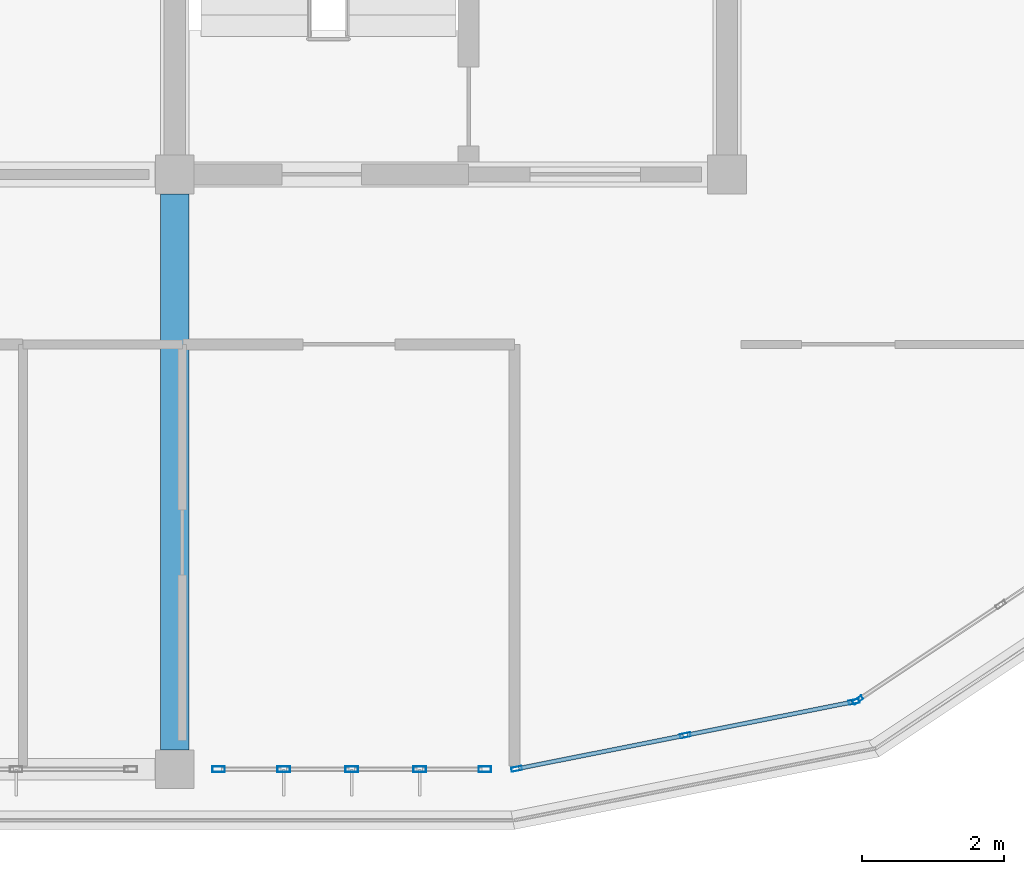
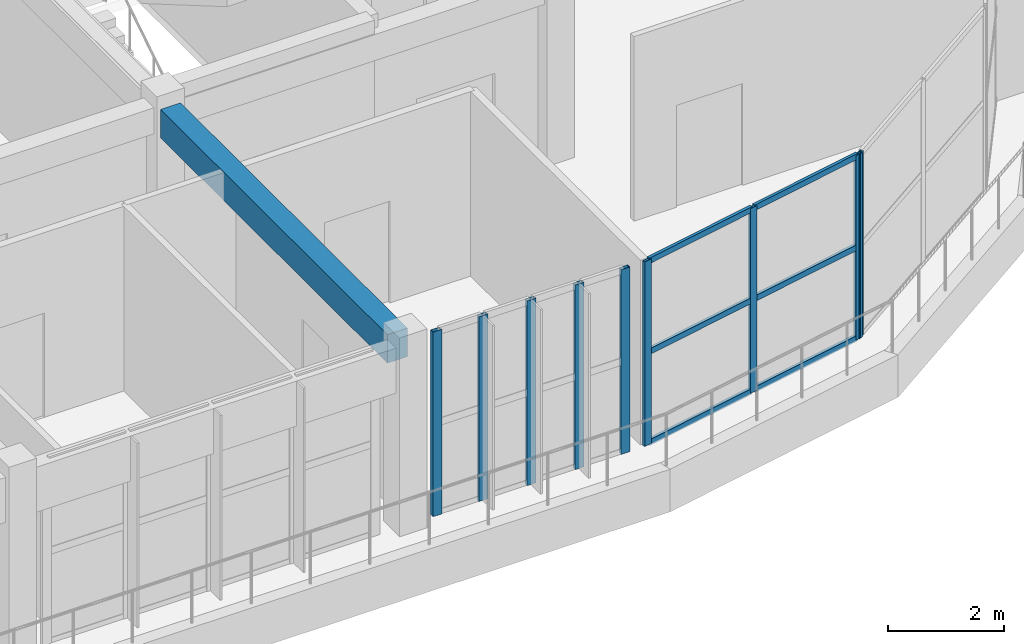
# One storey, part 19 of 44: 15 members, 1 beam, 3 elements without a shape of their own.
"""IFC4 building model written with IfcOpenShell, lengths in metres."""

from ifc_helpers import new_model, si_unit, direction, frame, origin, origin_2d, place, context, subcontext, project, spatial, rectangle, hollow_rectangle, extrude, material, layer, layer_set, material_profile, profile_set, type_object, element, aggregate, save


model = new_model("IFC4")

# Units and contexts
model_context = context("Model", 3, precision=1e-05, world=origin(), true_north=direction((0.0, 1.0)))
body_context = subcontext(model_context, "Body", "Model", "MODEL_VIEW")
ifc_project = project(units=[si_unit("LENGTHUNIT", "METRE"), si_unit("AREAUNIT", "SQUARE_METRE"), si_unit("VOLUMEUNIT", "CUBIC_METRE"), si_unit("PLANEANGLEUNIT", "RADIAN"), si_unit("MASSUNIT", "GRAM", prefix="KILO")], contexts=[model_context])

# Site, building, storey
site_placement = place(None, origin())
site = spatial("IfcSite", under=ifc_project, at=site_placement, CompositionType="ELEMENT")
building_placement = place(site_placement, origin())
building = spatial("IfcBuilding", under=site, at=building_placement, Name="Zizhar Promenade General Hospital", CompositionType="ELEMENT")
storey_placement = place(building_placement, frame((0.0, 0.0, 34.800048828125)))
storey = spatial("IfcBuildingStorey", under=building, at=storey_placement, Name="L08", CompositionType="ELEMENT", Elevation=34.800048828125)

# Beam
ifc_material_1 = material(Name="Concrete C35/45", Category="concrete")
ifc_material_profile_1 = material_profile(ifc_material_1, rectangle(XDim=0.39990234375, YDim=0.60009765625, at=origin_2d()))
ifc_profile_set_1 = profile_set([ifc_material_profile_1], Name="Concrete C35/45")
beam_type = type_object("IfcBeamType", Name="BM-RC-400x600", PredefinedType="JOIST", material=ifc_profile_set_1)
beam_placement = place(storey_placement, frame((93.60009765625, 0.27490234375, 3.60986328125), z_axis=(0.0, 1.0, 0.0), x_axis=(-1.0, 0.0, 0.0)))
element("IfcBeam", 1, at=beam_placement, inside=storey, type_object=beam_type, Name="Grid Beam Y L08 (12-0)", PredefinedType="JOIST", context=body_context, shape_type="SweptSolid", body=[
    extrude(rectangle(XDim=0.39990234375, YDim=0.60009765625, at=origin_2d()), origin(), (0.0, 0.0, 1.0), 7.85009765625),
])

# Curtain wall, members
ifc_material_2 = material(Name="Anodised aluminium 6063-T6 and low-E glass", Category="aluminium")
ifc_layer_1 = layer(ifc_material_2, 0.159912109375)
ifc_layer_set_1 = layer_set([ifc_layer_1], Name="Anodised aluminium 6063-T6 and low-E glass")
curtain_wall_type_1 = type_object("IfcCurtainWallType", Name="CW-WARD-ARC", PredefinedType="NOTDEFINED", material=ifc_layer_set_1)
curtain_wall_1_placement = place(storey_placement, origin())
curtain_wall_1 = element("IfcCurtainWall", 2, at=curtain_wall_1_placement, inside=storey, type_object=curtain_wall_type_1, Name="Ward Semicircular End Glazing L08-01", PredefinedType="NOTDEFINED")
ifc_material_3 = material(Name="Anodised aluminium 6063-T6", Category="aluminium")
ifc_material_profile_2 = material_profile(ifc_material_3, hollow_rectangle(XDim=0.06005859375, YDim=0.14990234375, WallThickness=0.00390625, at=origin_2d()))
ifc_profile_set_2 = profile_set([ifc_material_profile_2], Name="Anodised aluminium 6063-T6")
member_type_1 = type_object("IfcMemberType", Name="CWM-ALU-150x60", PredefinedType="MULLION", material=ifc_profile_set_2)
member_1_placement = place(storey_placement, frame((103.1923828125, 0.953369140625, 0.0), z_axis=(0.0, 0.0, 1.0), x_axis=(0.195087259275, -0.980785889615, 0.0)))
member_1 = element("IfcMember", 3, at=member_1_placement, type_object=member_type_1, Name="CW-12 mullion 1", PredefinedType="MULLION", context=body_context, shape_type="SweptSolid", body=[
    extrude(hollow_rectangle(XDim=0.06005859375, YDim=0.14990234375, WallThickness=0.00390625, at=origin_2d()), origin(), (0.0, 0.0, 1.0), 3.89990234375),
])
member_2_placement = place(storey_placement, frame((100.810791015625, 0.4794921875, 0.0), z_axis=(0.0, 0.0, 1.0), x_axis=(0.195087259275, -0.980785889615, 0.0)))
member_2 = element("IfcMember", 4, at=member_2_placement, type_object=member_type_1, Name="CW-12 mullion 2", PredefinedType="MULLION", context=body_context, shape_type="SweptSolid", body=[
    extrude(hollow_rectangle(XDim=0.06005859375, YDim=0.14990234375, WallThickness=0.00390625, at=origin_2d()), origin(), (0.0, 0.0, 1.0), 3.89990234375),
])
member_3_placement = place(storey_placement, frame((98.429443359375, 0.005859375, 0.0), z_axis=(0.0, 0.0, 1.0), x_axis=(0.195087259275, -0.980785889615, 0.0)))
member_3 = element("IfcMember", 5, at=member_3_placement, type_object=member_type_1, Name="CW-12 mullion 3", PredefinedType="MULLION", context=body_context, shape_type="SweptSolid", body=[
    extrude(hollow_rectangle(XDim=0.06005859375, YDim=0.14990234375, WallThickness=0.00390625, at=origin_2d()), origin(), (0.0, 0.0, 1.0), 3.89990234375),
])

# Curtain wall, member
curtain_wall_2_placement = place(storey_placement, origin())
curtain_wall_2 = element("IfcCurtainWall", 6, at=curtain_wall_2_placement, inside=storey, type_object=curtain_wall_type_1, Name="Ward Semicircular End Glazing L08-02", PredefinedType="NOTDEFINED")
member_4_placement = place(storey_placement, frame((103.246826171875, 0.975830078125, 0.0), z_axis=(0.0, 0.0, 1.0), x_axis=(0.555582352095, -0.831461514468, 0.0)))
member_4 = element("IfcMember", 7, at=member_4_placement, type_object=member_type_1, Name="CW-12 mullion 3", PredefinedType="MULLION", context=body_context, shape_type="SweptSolid", body=[
    extrude(hollow_rectangle(XDim=0.06005859375, YDim=0.14990234375, WallThickness=0.00390625, at=origin_2d()), origin(), (0.0, 0.0, 1.0), 3.89990234375),
])
aggregate(curtain_wall_2, [member_4])

# Curtain wall, members
ifc_material_4 = material(Name="Anodised aluminium 6063-T6 and low-E glass", Category="aluminium")
ifc_layer_2 = layer(ifc_material_4, 0.159912109375)
ifc_layer_set_2 = layer_set([ifc_layer_2], Name="Anodised aluminium 6063-T6 and low-E glass")
curtain_wall_type_2 = type_object("IfcCurtainWallType", Name="CW-WARD-RIB", PredefinedType="NOTDEFINED", material=ifc_layer_set_2)
curtain_wall_3_placement = place(storey_placement, origin())
curtain_wall_3 = element("IfcCurtainWall", 8, at=curtain_wall_3_placement, inside=storey, type_object=curtain_wall_type_2, Name="Ward Ribbon Curtain Wall L08-17-0", PredefinedType="NOTDEFINED")
ifc_material_5 = material(Name="Anodised aluminium 6063-T6", Category="aluminium")
ifc_material_profile_3 = material_profile(ifc_material_5, hollow_rectangle(XDim=0.080078125, YDim=0.179931640625, WallThickness=0.0048828125, at=origin_2d()))
ifc_profile_set_3 = profile_set([ifc_material_profile_3], Name="Anodised aluminium 6063-T6")
member_type_2 = type_object("IfcMemberType", Name="CWM-ALU-180x80", PredefinedType="MULLION", material=ifc_profile_set_3)
member_5_placement = place(storey_placement, frame((97.97998046875, 0.0, 0.0), z_axis=(0.0, 0.0, 1.0), x_axis=(0.0, -1.0, 0.0)))
member_5 = element("IfcMember", 9, at=member_5_placement, type_object=member_type_2, Name="CW-13 mullion 1", PredefinedType="MULLION", context=body_context, shape_type="SweptSolid", body=[
    extrude(hollow_rectangle(XDim=0.080078125, YDim=0.179931640625, WallThickness=0.0048828125, at=origin_2d()), origin(), (0.0, 0.0, 1.0), 3.89990234375),
])
member_6_placement = place(storey_placement, frame((97.06005859375, 0.0, 0.0), z_axis=(0.0, 0.0, 1.0), x_axis=(0.0, -1.0, 0.0)))
member_6 = element("IfcMember", 10, at=member_6_placement, type_object=member_type_2, Name="CW-13 mullion 2", PredefinedType="MULLION", context=body_context, shape_type="SweptSolid", body=[
    extrude(hollow_rectangle(XDim=0.080078125, YDim=0.179931640625, WallThickness=0.0048828125, at=origin_2d()), origin(), (0.0, 0.0, 1.0), 3.89990234375),
])
member_7_placement = place(storey_placement, frame((96.10009765625, 0.0, 0.0), z_axis=(0.0, 0.0, 1.0), x_axis=(0.0, -1.0, 0.0)))
member_7 = element("IfcMember", 11, at=member_7_placement, type_object=member_type_2, Name="CW-13 mullion 3", PredefinedType="MULLION", context=body_context, shape_type="SweptSolid", body=[
    extrude(hollow_rectangle(XDim=0.080078125, YDim=0.179931640625, WallThickness=0.0048828125, at=origin_2d()), origin(), (0.0, 0.0, 1.0), 3.89990234375),
])
member_8_placement = place(storey_placement, frame((95.139892578125, 0.0, 0.0), z_axis=(0.0, 0.0, 1.0), x_axis=(0.0, -1.0, 0.0)))
member_8 = element("IfcMember", 12, at=member_8_placement, type_object=member_type_2, Name="CW-13 mullion 4", PredefinedType="MULLION", context=body_context, shape_type="SweptSolid", body=[
    extrude(hollow_rectangle(XDim=0.080078125, YDim=0.179931640625, WallThickness=0.0048828125, at=origin_2d()), origin(), (0.0, 0.0, 1.0), 3.89990234375),
])
member_9_placement = place(storey_placement, frame((94.219970703125, 0.0, 0.0), z_axis=(0.0, 0.0, 1.0), x_axis=(0.0, -1.0, 0.0)))
member_9 = element("IfcMember", 13, at=member_9_placement, type_object=member_type_2, Name="CW-13 mullion 5", PredefinedType="MULLION", context=body_context, shape_type="SweptSolid", body=[
    extrude(hollow_rectangle(XDim=0.080078125, YDim=0.179931640625, WallThickness=0.0048828125, at=origin_2d()), origin(), (0.0, 0.0, 1.0), 3.89990234375),
])
aggregate(curtain_wall_3, [member_5, member_6, member_7, member_8, member_9])

# Member
ifc_material_6 = material(Name="Anodised aluminium 6063-T6", Category="aluminium")
ifc_material_profile_4 = material_profile(ifc_material_6, hollow_rectangle(XDim=0.06005859375, YDim=0.1201171875, WallThickness=0.00390625, at=origin_2d()))
ifc_profile_set_4 = profile_set([ifc_material_profile_4], Name="Anodised aluminium 6063-T6")
member_type_3 = type_object("IfcMemberType", Name="CWT-ALU-120x60", PredefinedType="USERDEFINED", material=ifc_profile_set_4)
member_10_placement = place(storey_placement, frame((103.162841796875, 0.947509765625, 0.030029296875), z_axis=(-0.98077054851, -0.195164369634, 0.0), x_axis=(0.195164369634, -0.98077054851, 0.0)))
member_10 = element("IfcMember", 14, at=member_10_placement, type_object=member_type_3, Name="CW-12 transom 1.1", ObjectType="TRANSOM", PredefinedType="USERDEFINED", context=body_context, shape_type="SweptSolid", body=[
    extrude(hollow_rectangle(XDim=0.06005859375, YDim=0.1201171875, WallThickness=0.00390625, at=origin_2d()), origin(), (0.0, 0.0, 1.0), 2.3681640625),
])

member_11_placement = place(storey_placement, frame((103.162841796875, 0.947509765625, 1.949951171875), z_axis=(-0.98077054851, -0.195164369634, 0.0), x_axis=(0.195164369634, -0.98077054851, 0.0)))
member_11 = element("IfcMember", 15, at=member_11_placement, type_object=member_type_3, Name="CW-12 transom 1.2", ObjectType="TRANSOM", PredefinedType="USERDEFINED", context=body_context, shape_type="SweptSolid", body=[
    extrude(hollow_rectangle(XDim=0.06005859375, YDim=0.1201171875, WallThickness=0.00390625, at=origin_2d()), origin(), (0.0, 0.0, 1.0), 2.3681640625),
])

member_12_placement = place(storey_placement, frame((103.162841796875, 0.947509765625, 3.869873046875), z_axis=(-0.98077054851, -0.195164369634, 0.0), x_axis=(0.195164369634, -0.98077054851, 0.0)))
member_12 = element("IfcMember", 16, at=member_12_placement, type_object=member_type_3, Name="CW-12 transom 1.3", ObjectType="TRANSOM", PredefinedType="USERDEFINED", context=body_context, shape_type="SweptSolid", body=[
    extrude(hollow_rectangle(XDim=0.06005859375, YDim=0.1201171875, WallThickness=0.00390625, at=origin_2d()), origin(), (0.0, 0.0, 1.0), 2.3681640625),
])

member_13_placement = place(storey_placement, frame((100.781494140625, 0.4736328125, 0.030029296875), z_axis=(-0.980794200422, -0.195045472693, 0.0), x_axis=(0.195045472693, -0.980794200422, 0.0)))
member_13 = element("IfcMember", 17, at=member_13_placement, type_object=member_type_3, Name="CW-12 transom 2.1", ObjectType="TRANSOM", PredefinedType="USERDEFINED", context=body_context, shape_type="SweptSolid", body=[
    extrude(hollow_rectangle(XDim=0.06005859375, YDim=0.1201171875, WallThickness=0.00390625, at=origin_2d()), origin(), (0.0, 0.0, 1.0), 2.3681640625),
])

member_14_placement = place(storey_placement, frame((100.781494140625, 0.4736328125, 1.949951171875), z_axis=(-0.980794200422, -0.195045472693, 0.0), x_axis=(0.195045472693, -0.980794200422, 0.0)))
member_14 = element("IfcMember", 18, at=member_14_placement, type_object=member_type_3, Name="CW-12 transom 2.2", ObjectType="TRANSOM", PredefinedType="USERDEFINED", context=body_context, shape_type="SweptSolid", body=[
    extrude(hollow_rectangle(XDim=0.06005859375, YDim=0.1201171875, WallThickness=0.00390625, at=origin_2d()), origin(), (0.0, 0.0, 1.0), 2.3681640625),
])

member_15_placement = place(storey_placement, frame((100.781494140625, 0.4736328125, 3.869873046875), z_axis=(-0.980794200422, -0.195045472693, 0.0), x_axis=(0.195045472693, -0.980794200422, 0.0)))
member_15 = element("IfcMember", 19, at=member_15_placement, type_object=member_type_3, Name="CW-12 transom 2.3", ObjectType="TRANSOM", PredefinedType="USERDEFINED", context=body_context, shape_type="SweptSolid", body=[
    extrude(hollow_rectangle(XDim=0.06005859375, YDim=0.1201171875, WallThickness=0.00390625, at=origin_2d()), origin(), (0.0, 0.0, 1.0), 2.3681640625),
])

aggregate(curtain_wall_1, [member_1, member_2, member_3, member_10, member_11, member_12, member_13, member_14, member_15])

save(model, "model.ifc")
